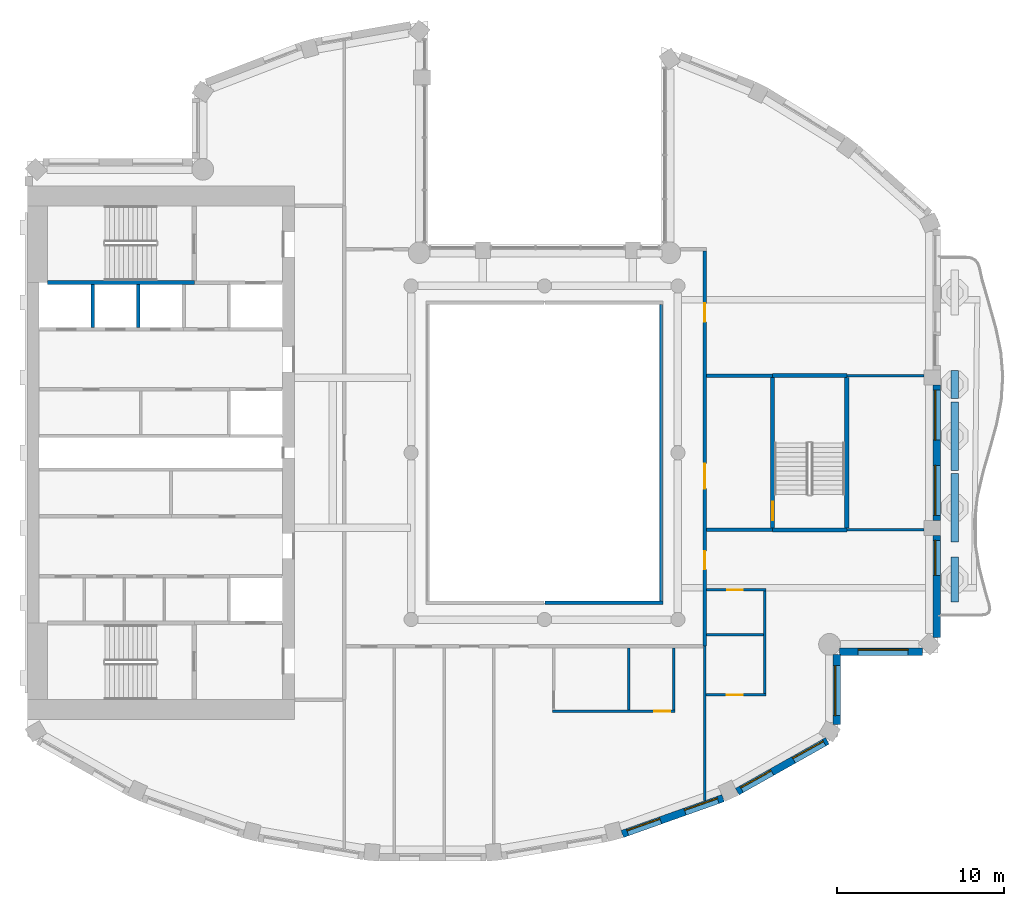
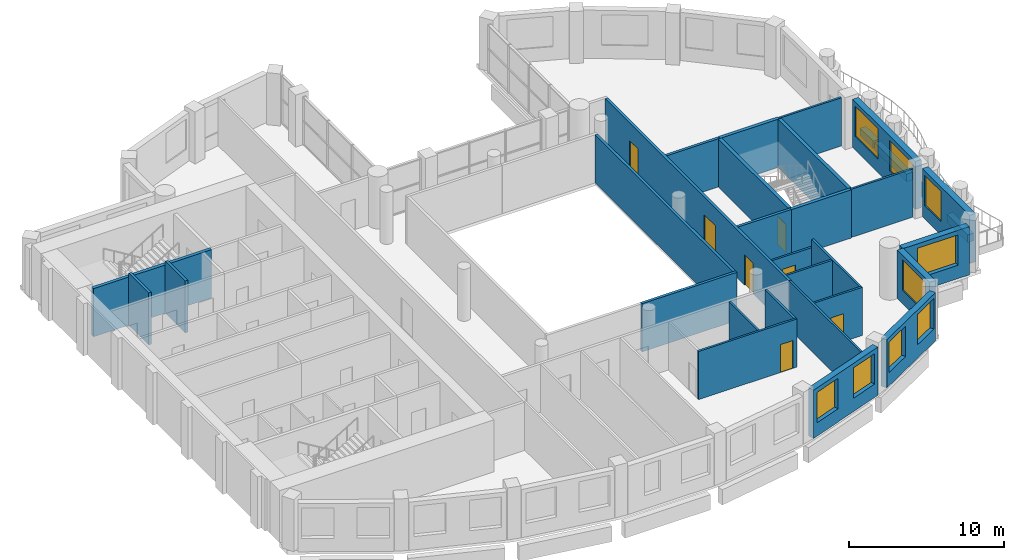
# One storey, part 6 of 14: 32 walls, 9 windows, 7 doors, 16 openings.
"""IFC4 building model written with IfcOpenShell, lengths in metres."""

from ifc_helpers import new_model, si_unit, direction, frame, frame_2d, origin, place, context, subcontext, project, spatial, rectangle, extrude, material, layer, layer_set, type_object, element, fill, save


model = new_model("IFC4")

# Units and contexts
model_context = context("Model", 3, precision=1e-05, world=origin(), true_north=direction((0.0, 1.0)))
body_context = subcontext(model_context, "Body", "Model", "MODEL_VIEW")
ifc_project = project(units=[si_unit("LENGTHUNIT", "METRE"), si_unit("AREAUNIT", "SQUARE_METRE"), si_unit("VOLUMEUNIT", "CUBIC_METRE"), si_unit("PLANEANGLEUNIT", "RADIAN"), si_unit("MASSUNIT", "GRAM", prefix="KILO")], contexts=[model_context])

# Site, building, storey
site_placement = place(None, origin())
site = spatial("IfcSite", under=ifc_project, at=site_placement, CompositionType="ELEMENT")
building_placement = place(site_placement, origin())
building = spatial("IfcBuilding", under=site, at=building_placement, Name="Cypress Arch Tower", CompositionType="ELEMENT")
storey_placement = place(building_placement, frame((0.0, 0.0, 251.60009765625)))
storey = spatial("IfcBuildingStorey", under=building, at=storey_placement, Name="L56", CompositionType="ELEMENT", Elevation=251.60009765625)

# Walls
ifc_material_1 = material(Name="Concrete C40/50, waterproofed", Category="concrete")
ifc_layer_1 = layer(ifc_material_1, 0.449951171875)
ifc_layer_set_1 = layer_set([ifc_layer_1], Name="Balcony planter wall PW450")
wall_type_1 = type_object("IfcWallType", Name="Balcony planter wall PW450", PredefinedType="SOLIDWALL", material=ifc_layer_set_1)
wall_1_placement = place(storey_placement, frame((25.60009765625, -8.949951171875, 0.0), z_axis=(0.0, 0.0, 1.0), x_axis=(0.0, 1.0, 0.0)))
element("IfcWall", 1, at=wall_1_placement, inside=storey, type_object=wall_type_1, Name="Balcony planter wall L56-C17.1", PredefinedType="SOLIDWALL", context=body_context, shape_type="SweptSolid", body=[
    extrude(rectangle(XDim=2.699951171875, YDim=0.449951171875, at=frame_2d((1.35009765625, 0.0))), origin(), (0.0, 0.0, 1.0), 0.599853515625),
])
for number, where, z_axis, x_axis, name in (
    (2, (25.60009765625, -5.35009765625, 0.0), (0.0, 0.0, 1.0), (0.0, 1.0, 0.0), "Balcony planter wall L56-C17.2"),
    (3, (25.60009765625, -1.050048828125, 0.0), (0.0, 0.0, 1.0), (0.0, 1.0, 0.0), "Balcony planter wall L56-C17.3"),
):
    element("IfcWall", number, at=place(storey_placement, frame(where, z_axis=z_axis, x_axis=x_axis)), inside=storey, type_object=wall_type_1, Name=name, PredefinedType="SOLIDWALL", context=body_context, shape_type="SweptSolid", body=[
        extrude(rectangle(XDim=4.10009765625, YDim=0.449951171875, at=frame_2d((2.050048828125, 0.0))), origin(), (0.0, 0.0, 1.0), 0.599853515625),
    ])
wall_2_placement = place(storey_placement, frame((25.60009765625, 3.25, 0.0), z_axis=(0.0, 0.0, 1.0), x_axis=(0.0, 1.0, 0.0)))
element("IfcWall", 4, at=wall_2_placement, inside=storey, type_object=wall_type_1, Name="Balcony planter wall L56-C17.4", PredefinedType="SOLIDWALL", context=body_context, shape_type="SweptSolid", body=[
    extrude(rectangle(XDim=1.69140625, YDim=0.449951171875, at=frame_2d((0.845703125, 0.0))), origin(), (0.0, 0.0, 1.0), 0.599853515625),
])

# Wall, openings, windows
ifc_material_2 = material(Name="Brick (red buff blend)", Category="masonry")
ifc_layer_2 = layer(ifc_material_2, 0.449951171875)
ifc_layer_set_2 = layer_set([ifc_layer_2], Name="Brick pier and spandrel wall BW450")
wall_type_2 = type_object("IfcWallType", Name="Brick pier and spandrel wall BW450", PredefinedType="SOLIDWALL", material=ifc_layer_set_2)
wall_3_placement = place(storey_placement, frame((5.66455078125, -22.859375, 0.0), z_axis=(0.0, 0.0, 1.0), x_axis=(0.942108340262, 0.335308626803, 0.0)))
wall_3 = element("IfcWall", 5, at=wall_3_placement, inside=storey, type_object=wall_type_2, Name="Brick wall L56 C13.0", PredefinedType="SOLIDWALL", context=body_context, shape_type="SweptSolid", body=[
    extrude(rectangle(XDim=6.41162109375, YDim=0.449951171875, at=frame_2d((3.205810546875, 0.0))), origin(), (0.0, 0.0, 1.0), 3.7998046875),
])
opening_1_placement = place(wall_3_placement, frame((0.3271484375, 0.0, 1.050048828125)))
opening_1 = element("IfcOpeningElement", 6, at=opening_1_placement, cuts=wall_3, Name="Opening W210O", PredefinedType="OPENING", context=body_context, shape_type="SweptSolid", body=[
    extrude(rectangle(XDim=2.10009765625, YDim=2.39990234375, at=frame_2d((1.050048828125, 1.199951171875))), frame((0.0, 0.23486328125, 0.0), z_axis=(0.0, -1.0, 0.0), x_axis=(1.0, 0.0, 0.0)), (0.0, 0.0, 1.0), 0.469970703125),
])
opening_2_placement = place(wall_3_placement, frame((3.984619140625, 0.0, 1.050048828125)))
opening_2 = element("IfcOpeningElement", 7, at=opening_2_placement, cuts=wall_3, Name="Opening W210O", PredefinedType="OPENING", context=body_context, shape_type="SweptSolid", body=[
    extrude(rectangle(XDim=2.10009765625, YDim=2.39990234375, at=frame_2d((1.050048828125, 1.199951171875))), frame((0.0, 0.23486328125, 0.0), z_axis=(0.0, -1.0, 0.0), x_axis=(1.0, 0.0, 0.0)), (0.0, 0.0, 1.0), 0.469970703125),
])
ifc_material_3 = material(Name="Anodised aluminium, bronze finish, clear low-emissivity double glazing", Category="aluminium")
window_type_1 = type_object("IfcWindowType", Name="Window Office 2100x2400", PartitioningType="SINGLE_PANEL", PredefinedType="WINDOW", material=ifc_material_3)
window_1_placement = place(opening_1_placement, origin())
window_1 = element("IfcWindow", 8, at=window_1_placement, inside=storey, type_object=window_type_1, Name="Window L56 C13.0.1", OverallHeight=2.39990234375, OverallWidth=2.10009765625, PartitioningType="SINGLE_PANEL", PredefinedType="WINDOW", context=body_context, shape_type="SweptSolid", body=[
    extrude(rectangle(XDim=2.10009765625, YDim=2.39990234375, at=frame_2d((1.050048828125, 1.199951171875))), frame((0.0, 0.135009765625, 0.0), z_axis=(0.0, -1.0, 0.0), x_axis=(1.0, 0.0, 0.0)), (0.0, 0.0, 1.0), 0.06005859375),
])
fill(opening_1, window_1)
window_2_placement = place(opening_2_placement, origin())
window_2 = element("IfcWindow", 9, at=window_2_placement, inside=storey, type_object=window_type_1, Name="Window L56 C13.0.2", OverallHeight=2.39990234375, OverallWidth=2.10009765625, PartitioningType="SINGLE_PANEL", PredefinedType="WINDOW", context=body_context, shape_type="SweptSolid", body=[
    extrude(rectangle(XDim=2.10009765625, YDim=2.39990234375, at=frame_2d((1.050048828125, 1.199951171875))), frame((0.0, 0.135009765625, 0.0), z_axis=(0.0, -1.0, 0.0), x_axis=(1.0, 0.0, 0.0)), (0.0, 0.0, 1.0), 0.06005859375),
])
fill(opening_2, window_2)

wall_4_placement = place(storey_placement, frame((12.55908203125, -20.320068359375, 0.0), z_axis=(0.0, 0.0, 1.0), x_axis=(0.871065783524, 0.491166367714, 0.0)))
wall_4 = element("IfcWall", 10, at=wall_4_placement, inside=storey, type_object=wall_type_2, Name="Brick wall L56 C14.0", PredefinedType="SOLIDWALL", context=body_context, shape_type="SweptSolid", body=[
    extrude(rectangle(XDim=6.1962890625, YDim=0.449951171875, at=frame_2d((3.09814453125, 0.0))), origin(), (0.0, 0.0, 1.0), 3.7998046875),
])
opening_3_placement = place(wall_4_placement, frame((0.29052734375, 0.0, 1.050048828125)))
opening_3 = element("IfcOpeningElement", 11, at=opening_3_placement, cuts=wall_4, Name="Opening W210O", PredefinedType="OPENING", context=body_context, shape_type="SweptSolid", body=[
    extrude(rectangle(XDim=2.10009765625, YDim=2.39990234375, at=frame_2d((1.050048828125, 1.199951171875))), frame((0.0, 0.23486328125, 0.0), z_axis=(0.0, -1.0, 0.0), x_axis=(1.0, 0.0, 0.0)), (0.0, 0.0, 1.0), 0.469970703125),
])
opening_4_placement = place(wall_4_placement, frame((3.875244140625, 0.0, 1.050048828125)))
opening_4 = element("IfcOpeningElement", 12, at=opening_4_placement, cuts=wall_4, Name="Opening W210O", PredefinedType="OPENING", context=body_context, shape_type="SweptSolid", body=[
    extrude(rectangle(XDim=2.10009765625, YDim=2.39990234375, at=frame_2d((1.050048828125, 1.199951171875))), frame((0.0, 0.23486328125, 0.0), z_axis=(0.0, -1.0, 0.0), x_axis=(1.0, 0.0, 0.0)), (0.0, 0.0, 1.0), 0.469970703125),
])
window_3_placement = place(opening_3_placement, origin())
window_3 = element("IfcWindow", 13, at=window_3_placement, inside=storey, type_object=window_type_1, Name="Window L56 C14.0.1", OverallHeight=2.39990234375, OverallWidth=2.10009765625, PartitioningType="SINGLE_PANEL", PredefinedType="WINDOW", context=body_context, shape_type="SweptSolid", body=[
    extrude(rectangle(XDim=2.10009765625, YDim=2.39990234375, at=frame_2d((1.050048828125, 1.199951171875))), frame((0.0, 0.135009765625, 0.0), z_axis=(0.0, -1.0, 0.0), x_axis=(1.0, 0.0, 0.0)), (0.0, 0.0, 1.0), 0.06005859375),
])
fill(opening_3, window_3)
window_4_placement = place(opening_4_placement, origin())
window_4 = element("IfcWindow", 14, at=window_4_placement, inside=storey, type_object=window_type_1, Name="Window L56 C14.0.2", OverallHeight=2.39990234375, OverallWidth=2.10009765625, PartitioningType="SINGLE_PANEL", PredefinedType="WINDOW", context=body_context, shape_type="SweptSolid", body=[
    extrude(rectangle(XDim=2.10009765625, YDim=2.39990234375, at=frame_2d((1.050048828125, 1.199951171875))), frame((0.0, 0.135009765625, 0.0), z_axis=(0.0, -1.0, 0.0), x_axis=(1.0, 0.0, 0.0)), (0.0, 0.0, 1.0), 0.06005859375),
])
fill(opening_4, window_4)

# Wall, opening, window
wall_5_placement = place(storey_placement, frame((18.52490234375, -16.3037109375, 0.0), z_axis=(0.0, 0.0, 1.0), x_axis=(0.0, 1.0, 0.0)))
wall_5 = element("IfcWall", 15, at=wall_5_placement, inside=storey, type_object=wall_type_2, Name="Brick wall L56 C15.0", PredefinedType="SOLIDWALL", context=body_context, shape_type="SweptSolid", body=[
    extrude(rectangle(XDim=4.2021484375, YDim=0.449951171875, at=frame_2d((2.10107421875, 0.0))), origin(), (0.0, 0.0, 1.0), 3.7998046875),
])
opening_5_placement = place(wall_5_placement, frame((0.541259765625, 0.0, 1.050048828125)))
opening_5 = element("IfcOpeningElement", 16, at=opening_5_placement, cuts=wall_5, Name="Opening W300O", PredefinedType="OPENING", context=body_context, shape_type="SweptSolid", body=[
    extrude(rectangle(XDim=3.0, YDim=2.39990234375, at=frame_2d((1.5, 1.199951171875))), frame((0.0, 0.23486328125, 0.0), z_axis=(0.0, -1.0, 0.0), x_axis=(1.0, 0.0, 0.0)), (0.0, 0.0, 1.0), 0.469970703125),
])
ifc_material_4 = material(Name="Anodised aluminium, bronze finish, clear low-emissivity double glazing", Category="aluminium")
window_type_2 = type_object("IfcWindowType", Name="Window Office 3000x2400", PartitioningType="SINGLE_PANEL", PredefinedType="WINDOW", material=ifc_material_4)
window_5_placement = place(opening_5_placement, origin())
window_5 = element("IfcWindow", 17, at=window_5_placement, inside=storey, type_object=window_type_2, Name="Window L56 C15.0.1", OverallHeight=2.39990234375, OverallWidth=3.0, PartitioningType="SINGLE_PANEL", PredefinedType="WINDOW", context=body_context, shape_type="SweptSolid", body=[
    extrude(rectangle(XDim=3.0, YDim=2.39990234375, at=frame_2d((1.5, 1.199951171875))), frame((0.0, 0.135009765625, 0.0), z_axis=(0.0, -1.0, 0.0), x_axis=(1.0, 0.0, 0.0)), (0.0, 0.0, 1.0), 0.06005859375),
])
fill(opening_5, window_5)

wall_6_placement = place(storey_placement, frame((18.701416015625, -11.925048828125, 0.0), z_axis=(0.0, 0.0, 1.0), x_axis=(1.0, 0.0, 0.0)))
wall_6 = element("IfcWall", 18, at=wall_6_placement, inside=storey, type_object=wall_type_2, Name="Brick wall L56 C16.0", PredefinedType="SOLIDWALL", context=body_context, shape_type="SweptSolid", body=[
    extrude(rectangle(XDim=4.962158203125, YDim=0.449951171875, at=frame_2d((2.48095703125, 0.0))), origin(), (0.0, 0.0, 1.0), 3.7998046875),
])
opening_6_placement = place(wall_6_placement, frame((1.098388671875, 0.0, 1.050048828125)))
opening_6 = element("IfcOpeningElement", 19, at=opening_6_placement, cuts=wall_6, Name="Opening W300O", PredefinedType="OPENING", context=body_context, shape_type="SweptSolid", body=[
    extrude(rectangle(XDim=3.0, YDim=2.39990234375, at=frame_2d((1.5, 1.199951171875))), frame((0.0, 0.23486328125, 0.0), z_axis=(0.0, -1.0, 0.0), x_axis=(1.0, 0.0, 0.0)), (0.0, 0.0, 1.0), 0.469970703125),
])
window_6_placement = place(opening_6_placement, origin())
window_6 = element("IfcWindow", 20, at=window_6_placement, inside=storey, type_object=window_type_2, Name="Window L56 C16.0.1", OverallHeight=2.39990234375, OverallWidth=3.0, PartitioningType="SINGLE_PANEL", PredefinedType="WINDOW", context=body_context, shape_type="SweptSolid", body=[
    extrude(rectangle(XDim=3.0, YDim=2.39990234375, at=frame_2d((1.5, 1.199951171875))), frame((0.0, 0.135009765625, 0.0), z_axis=(0.0, -1.0, 0.0), x_axis=(1.0, 0.0, 0.0)), (0.0, 0.0, 1.0), 0.06005859375),
])
fill(opening_6, window_6)

wall_7_placement = place(storey_placement, frame((24.52490234375, -11.063720703125, 0.0), z_axis=(0.0, 0.0, 1.0), x_axis=(0.0, 1.0, 0.0)))
wall_7 = element("IfcWall", 21, at=wall_7_placement, inside=storey, type_object=wall_type_2, Name="Brick wall L56 C17.0", PredefinedType="SOLIDWALL", context=body_context, shape_type="SweptSolid", body=[
    extrude(rectangle(XDim=6.11376953125, YDim=0.449951171875, at=frame_2d((3.056884765625, 0.0))), origin(), (0.0, 0.0, 1.0), 3.7998046875),
])
opening_7_placement = place(wall_7_placement, frame((3.713623046875, 0.0, 1.050048828125)))
opening_7 = element("IfcOpeningElement", 22, at=opening_7_placement, cuts=wall_7, Name="Opening W210OD", PredefinedType="OPENING", context=body_context, shape_type="SweptSolid", body=[
    extrude(rectangle(XDim=2.10009765625, YDim=2.39990234375, at=frame_2d((1.050048828125, 1.199951171875))), frame((0.0, 0.23486328125, 0.0), z_axis=(0.0, -1.0, 0.0), x_axis=(1.0, 0.0, 0.0)), (0.0, 0.0, 1.0), 0.469970703125),
])
ifc_material_5 = material(Name="Anodised aluminium, bronze finish, laminated low-emissivity double glazing, large-missile impact rated", Category="aluminium")
window_type_3 = type_object("IfcWindowType", Name="Window Office 2100x2400 debris-rated", PartitioningType="SINGLE_PANEL", PredefinedType="WINDOW", material=ifc_material_5)
window_7_placement = place(opening_7_placement, origin())
window_7 = element("IfcWindow", 23, at=window_7_placement, inside=storey, type_object=window_type_3, Name="Window L56 C17.0.2", OverallHeight=2.39990234375, OverallWidth=2.10009765625, PartitioningType="SINGLE_PANEL", PredefinedType="WINDOW", context=body_context, shape_type="SweptSolid", body=[
    extrude(rectangle(XDim=2.10009765625, YDim=2.39990234375, at=frame_2d((1.050048828125, 1.199951171875))), frame((0.0, 0.135009765625, 0.0), z_axis=(0.0, -1.0, 0.0), x_axis=(1.0, 0.0, 0.0)), (0.0, 0.0, 1.0), 0.06005859375),
])
fill(opening_7, window_7)

# Wall, openings, windows
wall_8_placement = place(storey_placement, frame((24.52490234375, -4.050048828125, 0.0), z_axis=(0.0, 0.0, 1.0), x_axis=(0.0, 1.0, 0.0)))
wall_8 = element("IfcWall", 24, at=wall_8_placement, inside=storey, type_object=wall_type_2, Name="Brick wall L56 C17.1", PredefinedType="SOLIDWALL", context=body_context, shape_type="SweptSolid", body=[
    extrude(rectangle(XDim=8.10009765625, YDim=0.449951171875, at=frame_2d((4.050048828125, 0.0))), origin(), (0.0, 0.0, 1.0), 3.7998046875),
])
opening_8_placement = place(wall_8_placement, frame((0.300048828125, 0.0, 1.050048828125)))
opening_8 = element("IfcOpeningElement", 25, at=opening_8_placement, cuts=wall_8, Name="Opening W300OD", PredefinedType="OPENING", context=body_context, shape_type="SweptSolid", body=[
    extrude(rectangle(XDim=3.0, YDim=2.39990234375, at=frame_2d((1.5, 1.199951171875))), frame((0.0, 0.23486328125, 0.0), z_axis=(0.0, -1.0, 0.0), x_axis=(1.0, 0.0, 0.0)), (0.0, 0.0, 1.0), 0.469970703125),
])
opening_9_placement = place(wall_8_placement, frame((4.800048828125, 0.0, 1.050048828125)))
opening_9 = element("IfcOpeningElement", 26, at=opening_9_placement, cuts=wall_8, Name="Opening W300OD", PredefinedType="OPENING", context=body_context, shape_type="SweptSolid", body=[
    extrude(rectangle(XDim=3.0, YDim=2.39990234375, at=frame_2d((1.5, 1.199951171875))), frame((0.0, 0.23486328125, 0.0), z_axis=(0.0, -1.0, 0.0), x_axis=(1.0, 0.0, 0.0)), (0.0, 0.0, 1.0), 0.469970703125),
])
ifc_material_6 = material(Name="Anodised aluminium, bronze finish, laminated low-emissivity double glazing, large-missile impact rated", Category="aluminium")
window_type_4 = type_object("IfcWindowType", Name="Window Office 3000x2400 debris-rated", PartitioningType="SINGLE_PANEL", PredefinedType="WINDOW", material=ifc_material_6)
window_8_placement = place(opening_8_placement, origin())
window_8 = element("IfcWindow", 27, at=window_8_placement, inside=storey, type_object=window_type_4, Name="Window L56 C17.1.1", OverallHeight=2.39990234375, OverallWidth=3.0, PartitioningType="SINGLE_PANEL", PredefinedType="WINDOW", context=body_context, shape_type="SweptSolid", body=[
    extrude(rectangle(XDim=3.0, YDim=2.39990234375, at=frame_2d((1.5, 1.199951171875))), frame((0.0, 0.135009765625, 0.0), z_axis=(0.0, -1.0, 0.0), x_axis=(1.0, 0.0, 0.0)), (0.0, 0.0, 1.0), 0.06005859375),
])
fill(opening_8, window_8)
window_9_placement = place(opening_9_placement, origin())
window_9 = element("IfcWindow", 28, at=window_9_placement, inside=storey, type_object=window_type_4, Name="Window L56 C17.1.2", OverallHeight=2.39990234375, OverallWidth=3.0, PartitioningType="SINGLE_PANEL", PredefinedType="WINDOW", context=body_context, shape_type="SweptSolid", body=[
    extrude(rectangle(XDim=3.0, YDim=2.39990234375, at=frame_2d((1.5, 1.199951171875))), frame((0.0, 0.135009765625, 0.0), z_axis=(0.0, -1.0, 0.0), x_axis=(1.0, 0.0, 0.0)), (0.0, 0.0, 1.0), 0.06005859375),
])
fill(opening_9, window_9)

# Walls
ifc_material_7 = material(Name="Concrete blockwork, plastered, rated", Category="masonry")
ifc_layer_3 = layer(ifc_material_7, 0.199951171875)
ifc_layer_set_3 = layer_set([ifc_layer_3], Name="Corridor wall FW200")
wall_type_3 = type_object("IfcWallType", Name="Corridor wall FW200", PredefinedType="PARTITIONING", material=ifc_layer_set_3)
wall_9_placement = place(storey_placement, frame((1.02001953125, -9.0, 0.0), z_axis=(0.0, 0.0, 1.0), x_axis=(1.0, 0.0, 0.0)))
element("IfcWall", 29, at=wall_9_placement, inside=storey, type_object=wall_type_3, Name="Corridor wall", PredefinedType="PARTITIONING", context=body_context, shape_type="SweptSolid", body=[
    extrude(rectangle(XDim=7.080078125, YDim=0.199951171875, at=frame_2d((3.5400390625, 0.0))), origin(), (0.0, 0.0, 1.0), 3.7998046875),
])
wall_10_placement = place(storey_placement, frame((8.0, -8.89990234375, 0.0), z_axis=(0.0, 0.0, 1.0), x_axis=(0.0, 1.0, 0.0)))
element("IfcWall", 30, at=wall_10_placement, inside=storey, type_object=wall_type_3, Name="Corridor wall", PredefinedType="PARTITIONING", context=body_context, shape_type="SweptSolid", body=[
    extrude(rectangle(XDim=17.7998046875, YDim=0.199951171875, at=frame_2d((8.89990234375, 0.0))), origin(), (0.0, 0.0, 1.0), 3.7998046875),
])

# Wall, openings, doors
wall_11_placement = place(storey_placement, frame((10.60009765625, -11.60009765625, 0.0), z_axis=(0.0, 0.0, 1.0), x_axis=(0.0, 1.0, 0.0)))
wall_11 = element("IfcWall", 31, at=wall_11_placement, inside=storey, type_object=wall_type_3, Name="Corridor wall", PredefinedType="PARTITIONING", context=body_context, shape_type="SweptSolid", body=[
    extrude(rectangle(XDim=23.7001953125, YDim=0.199951171875, at=frame_2d((11.85009765625, 0.0))), origin(), (0.0, 0.0, 1.0), 3.7998046875),
])
opening_10_placement = place(wall_11_placement, frame((9.449951171875, 0.0, 0.0)))
opening_10 = element("IfcOpeningElement", 32, at=opening_10_placement, cuts=wall_11, Name="Opening D07", PredefinedType="OPENING", context=body_context, shape_type="SweptSolid", body=[
    extrude(rectangle(XDim=1.5, YDim=2.39990234375, at=frame_2d((0.75, 1.199951171875))), frame((0.0, 0.10986328125, 0.0), z_axis=(0.0, -1.0, 0.0), x_axis=(1.0, 0.0, 0.0)), (0.0, 0.0, 1.0), 0.219970703125),
])
opening_11_placement = place(wall_11_placement, frame((19.449951171875, 0.0, 0.0)))
opening_11 = element("IfcOpeningElement", 33, at=opening_11_placement, cuts=wall_11, Name="Opening D01", PredefinedType="OPENING", context=body_context, shape_type="SweptSolid", body=[
    extrude(rectangle(XDim=1.10009765625, YDim=2.39990234375, at=frame_2d((0.550048828125, 1.199951171875))), frame((0.0, 0.10986328125, 0.0), z_axis=(0.0, -1.0, 0.0), x_axis=(1.0, 0.0, 0.0)), (0.0, 0.0, 1.0), 0.219970703125),
])
opening_12_placement = place(wall_11_placement, frame((4.60009765625, 0.0, 0.0)))
opening_12 = element("IfcOpeningElement", 34, at=opening_12_placement, cuts=wall_11, Name="Opening D01", PredefinedType="OPENING", context=body_context, shape_type="SweptSolid", body=[
    extrude(rectangle(XDim=1.10009765625, YDim=2.39990234375, at=frame_2d((0.550048828125, 1.199951171875))), frame((0.0, 0.10986328125, 0.0), z_axis=(0.0, -1.0, 0.0), x_axis=(1.0, 0.0, 0.0)), (0.0, 0.0, 1.0), 0.219970703125),
])
ifc_material_8 = material(Name="Steel framed glazed door, fire resisting", Category="steel")
door_type_1 = type_object("IfcDoorType", Name="Lobby door D07 1500x2400", OperationType="DOUBLE_DOOR_SINGLE_SWING", PredefinedType="DOOR", material=ifc_material_8)
door_1_placement = place(opening_10_placement, origin())
door_1 = element("IfcDoor", 35, at=door_1_placement, inside=storey, type_object=door_type_1, Name="Lobby door", OperationType="DOUBLE_DOOR_SINGLE_SWING", OverallHeight=2.39990234375, OverallWidth=1.5, PredefinedType="DOOR", context=body_context, shape_type="SweptSolid", body=[
    extrude(rectangle(XDim=1.5, YDim=2.39990234375, at=frame_2d((0.75, 1.199951171875))), frame((0.0, 0.02490234375, 0.0), z_axis=(0.0, -1.0, 0.0), x_axis=(1.0, 0.0, 0.0)), (0.0, 0.0, 1.0), 0.050048828125),
])
fill(opening_10, door_1)
ifc_material_9 = material(Name="Timber flush door, fire resisting, self-closing", Category="wood")
door_type_2 = type_object("IfcDoorType", Name="Unit entrance door D01 1100x2400", OperationType="SINGLE_SWING_LEFT", PredefinedType="DOOR", material=ifc_material_9)
door_2_placement = place(opening_11_placement, origin())
door_2 = element("IfcDoor", 36, at=door_2_placement, inside=storey, type_object=door_type_2, Name="Unit entrance door", OperationType="SINGLE_SWING_LEFT", OverallHeight=2.39990234375, OverallWidth=1.10009765625, PredefinedType="DOOR", context=body_context, shape_type="SweptSolid", body=[
    extrude(rectangle(XDim=1.10009765625, YDim=2.39990234375, at=frame_2d((0.550048828125, 1.199951171875))), frame((0.0, 0.02490234375, 0.0), z_axis=(0.0, -1.0, 0.0), x_axis=(1.0, 0.0, 0.0)), (0.0, 0.0, 1.0), 0.050048828125),
])
fill(opening_11, door_2)
door_3_placement = place(opening_12_placement, origin())
door_3 = element("IfcDoor", 37, at=door_3_placement, inside=storey, type_object=door_type_2, Name="Unit entrance door", OperationType="SINGLE_SWING_RIGHT", OverallHeight=2.39990234375, OverallWidth=1.10009765625, PredefinedType="DOOR", context=body_context, shape_type="SweptSolid", body=[
    extrude(rectangle(XDim=1.10009765625, YDim=2.39990234375, at=frame_2d((0.550048828125, 1.199951171875))), frame((0.0, 0.02490234375, 0.0), z_axis=(0.0, -1.0, 0.0), x_axis=(1.0, 0.0, 0.0)), (0.0, 0.0, 1.0), 0.050048828125),
])
fill(opening_12, door_3)

# Walls
for number, where, z_axis, x_axis, name in (
    (38, (10.699951171875, -4.625, 0.0), (0.0, 0.0, 1.0), (1.0, 0.0, 0.0), "Corridor wall"),
    (39, (10.699951171875, 4.625, 0.0), (0.0, 0.0, 1.0), (1.0, 0.0, 0.0), "Corridor wall"),
):
    element("IfcWall", number, at=place(storey_placement, frame(where, z_axis=z_axis, x_axis=x_axis)), inside=storey, type_object=wall_type_3, Name=name, PredefinedType="PARTITIONING", context=body_context, shape_type="SweptSolid", body=[
        extrude(rectangle(XDim=3.97509765625, YDim=0.199951171875, at=frame_2d((1.987548828125, 0.0))), origin(), (0.0, 0.0, 1.0), 3.7998046875),
    ])

# Wall, opening, door
ifc_material_10 = material(Name="Blockwork, plastered both sides", Category="masonry")
ifc_layer_4 = layer(ifc_material_10, 0.14990234375)
ifc_layer_set_4 = layer_set([ifc_layer_4], Name="Partition PW150")
wall_type_4 = type_object("IfcWallType", Name="Partition PW150", PredefinedType="PARTITIONING", material=ifc_layer_set_4)
wall_12_placement = place(storey_placement, frame((1.47900390625, -15.5, 0.0), z_axis=(0.0, 0.0, 1.0), x_axis=(1.0, 0.0, 0.0)))
wall_12 = element("IfcWall", 40, at=wall_12_placement, inside=storey, type_object=wall_type_4, Name="Partition", PredefinedType="PARTITIONING", context=body_context, shape_type="SweptSolid", body=[
    extrude(rectangle(XDim=7.35009765625, YDim=0.14990234375, at=frame_2d((3.675048828125, 0.0))), origin(), (0.0, 0.0, 1.0), 3.7998046875),
])
opening_13_placement = place(wall_12_placement, frame((6.10009765625, 0.0, 0.0)))
opening_13 = element("IfcOpeningElement", 41, at=opening_13_placement, cuts=wall_12, Name="Opening D12", PredefinedType="OPENING", context=body_context, shape_type="SweptSolid", body=[
    extrude(rectangle(XDim=0.949951171875, YDim=2.199951171875, at=frame_2d((0.47509765625, 1.10009765625))), frame((0.0, 0.0849609375, 0.0), z_axis=(0.0, -1.0, 0.0), x_axis=(1.0, 0.0, 0.0)), (0.0, 0.0, 1.0), 0.169921875),
])
ifc_material_11 = material(Name="Timber flush door", Category="wood")
door_type_3 = type_object("IfcDoorType", Name="Room door D12 950x2200", OperationType="SINGLE_SWING_LEFT", PredefinedType="DOOR", material=ifc_material_11)
door_4_placement = place(opening_13_placement, origin())
door_4 = element("IfcDoor", 42, at=door_4_placement, inside=storey, type_object=door_type_3, Name="Room door", OperationType="SINGLE_SWING_LEFT", OverallHeight=2.199951171875, OverallWidth=0.949951171875, PredefinedType="DOOR", context=body_context, shape_type="SweptSolid", body=[
    extrude(rectangle(XDim=0.949951171875, YDim=2.199951171875, at=frame_2d((0.47509765625, 1.10009765625))), frame((0.0, 0.02490234375, 0.0), z_axis=(0.0, -1.0, 0.0), x_axis=(1.0, 0.0, 0.0)), (0.0, 0.0, 1.0), 0.050048828125),
])
fill(opening_13, door_4)

# Walls
for number, where, z_axis, x_axis, name in (
    (43, (6.053955078125, -15.425048828125, 0.0), (0.0, 0.0, 1.0), (0.0, 1.0, 0.0), "Partition"),
    (44, (8.75390625, -15.425048828125, 0.0), (0.0, 0.0, 1.0), (0.0, 1.0, 0.0), "Partition"),
):
    element("IfcWall", number, at=place(storey_placement, frame(where, z_axis=z_axis, x_axis=x_axis)), inside=storey, type_object=wall_type_4, Name=name, PredefinedType="PARTITIONING", context=body_context, shape_type="SweptSolid", body=[
        extrude(rectangle(XDim=3.72509765625, YDim=0.14990234375, at=frame_2d((1.862548828125, 0.0))), origin(), (0.0, 0.0, 1.0), 3.7998046875),
    ])
wall_13_placement = place(storey_placement, frame((10.60009765625, -20.864013671875, 0.0), z_axis=(0.0, 0.0, 1.0), x_axis=(0.0, 1.0, 0.0)))
element("IfcWall", 45, at=wall_13_placement, inside=storey, type_object=wall_type_4, Name="Partition", PredefinedType="PARTITIONING", context=body_context, shape_type="SweptSolid", body=[
    extrude(rectangle(XDim=9.263916015625, YDim=0.14990234375, at=frame_2d((4.6318359375, 0.0))), origin(), (0.0, 0.0, 1.0), 3.7998046875),
])

# Wall, opening, door
wall_14_placement = place(storey_placement, frame((10.675048828125, -14.52490234375, 0.0), z_axis=(0.0, 0.0, 1.0), x_axis=(1.0, 0.0, 0.0)))
wall_14 = element("IfcWall", 46, at=wall_14_placement, inside=storey, type_object=wall_type_4, Name="Partition", PredefinedType="PARTITIONING", context=body_context, shape_type="SweptSolid", body=[
    extrude(rectangle(XDim=3.599853515625, YDim=0.14990234375, at=frame_2d((1.7998046875, 0.0))), origin(), (0.0, 0.0, 1.0), 3.7998046875),
])
opening_14_placement = place(wall_14_placement, frame((1.25, 0.0, 0.0)))
opening_14 = element("IfcOpeningElement", 47, at=opening_14_placement, cuts=wall_14, Name="Opening D12", PredefinedType="OPENING", context=body_context, shape_type="SweptSolid", body=[
    extrude(rectangle(XDim=0.949951171875, YDim=2.199951171875, at=frame_2d((0.47509765625, 1.10009765625))), frame((0.0, 0.0849609375, 0.0), z_axis=(0.0, -1.0, 0.0), x_axis=(1.0, 0.0, 0.0)), (0.0, 0.0, 1.0), 0.169921875),
])
door_5_placement = place(opening_14_placement, origin())
door_5 = element("IfcDoor", 48, at=door_5_placement, inside=storey, type_object=door_type_3, Name="Room door", OperationType="SINGLE_SWING_RIGHT", OverallHeight=2.199951171875, OverallWidth=0.949951171875, PredefinedType="DOOR", context=body_context, shape_type="SweptSolid", body=[
    extrude(rectangle(XDim=0.949951171875, YDim=2.199951171875, at=frame_2d((0.47509765625, 1.10009765625))), frame((0.0, 0.02490234375, 0.0), z_axis=(0.0, -1.0, 0.0), x_axis=(1.0, 0.0, 0.0)), (0.0, 0.0, 1.0), 0.050048828125),
])
fill(opening_14, door_5)

# Wall
wall_15_placement = place(storey_placement, frame((10.699951171875, -10.925048828125, 0.0), z_axis=(0.0, 0.0, 1.0), x_axis=(1.0, 0.0, 0.0)))
element("IfcWall", 49, at=wall_15_placement, inside=storey, type_object=wall_type_4, Name="Partition", PredefinedType="PARTITIONING", context=body_context, shape_type="SweptSolid", body=[
    extrude(rectangle(XDim=3.425048828125, YDim=0.14990234375, at=frame_2d((1.71240234375, 0.0))), origin(), (0.0, 0.0, 1.0), 3.7998046875),
])

# Wall, opening, door
wall_16_placement = place(storey_placement, frame((10.699951171875, -8.22509765625, 0.0), z_axis=(0.0, 0.0, 1.0), x_axis=(1.0, 0.0, 0.0)))
wall_16 = element("IfcWall", 50, at=wall_16_placement, inside=storey, type_object=wall_type_4, Name="Partition", PredefinedType="PARTITIONING", context=body_context, shape_type="SweptSolid", body=[
    extrude(rectangle(XDim=3.574951171875, YDim=0.14990234375, at=frame_2d((1.78759765625, 0.0))), origin(), (0.0, 0.0, 1.0), 3.14990234375),
])
opening_15_placement = place(wall_16_placement, frame((1.25, 0.0, 0.0)))
opening_15 = element("IfcOpeningElement", 51, at=opening_15_placement, cuts=wall_16, Name="Opening D12", PredefinedType="OPENING", context=body_context, shape_type="SweptSolid", body=[
    extrude(rectangle(XDim=0.949951171875, YDim=2.199951171875, at=frame_2d((0.47509765625, 1.10009765625))), frame((0.0, 0.0849609375, 0.0), z_axis=(0.0, -1.0, 0.0), x_axis=(1.0, 0.0, 0.0)), (0.0, 0.0, 1.0), 0.169921875),
])
door_6_placement = place(opening_15_placement, origin())
door_6 = element("IfcDoor", 52, at=door_6_placement, inside=storey, type_object=door_type_3, Name="Room door", OperationType="SINGLE_SWING_LEFT", OverallHeight=2.199951171875, OverallWidth=0.949951171875, PredefinedType="DOOR", context=body_context, shape_type="SweptSolid", body=[
    extrude(rectangle(XDim=0.949951171875, YDim=2.199951171875, at=frame_2d((0.47509765625, 1.10009765625))), frame((0.0, 0.02490234375, 0.0), z_axis=(0.0, -1.0, 0.0), x_axis=(1.0, 0.0, 0.0)), (0.0, 0.0, 1.0), 0.050048828125),
])
fill(opening_15, door_6)

# Walls
wall_17_placement = place(storey_placement, frame((14.199951171875, -14.449951171875, 0.0), z_axis=(0.0, 0.0, 1.0), x_axis=(0.0, 1.0, 0.0)))
element("IfcWall", 53, at=wall_17_placement, inside=storey, type_object=wall_type_4, Name="Partition", PredefinedType="PARTITIONING", context=body_context, shape_type="SweptSolid", body=[
    extrude(rectangle(XDim=6.14990234375, YDim=0.14990234375, at=frame_2d((3.074951171875, 0.0))), origin(), (0.0, 0.0, 1.0), 3.7998046875),
])
for number, where, z_axis, x_axis, name in (
    (54, (19.14501953125, -4.625, 0.0), (0.0, 0.0, 1.0), (1.0, 0.0, 0.0), "Partition"),
    (55, (19.14501953125, 4.625, 0.0), (0.0, 0.0, 1.0), (1.0, 0.0, 0.0), "Partition"),
):
    element("IfcWall", number, at=place(storey_placement, frame(where, z_axis=z_axis, x_axis=x_axis)), inside=storey, type_object=wall_type_4, Name=name, PredefinedType="PARTITIONING", context=body_context, shape_type="SweptSolid", body=[
        extrude(rectangle(XDim=4.60498046875, YDim=0.14990234375, at=frame_2d((2.302490234375, 0.0))), origin(), (0.0, 0.0, 1.0), 3.7998046875),
    ])
ifc_material_12 = material(Name="Concrete C50/60", Category="concrete")
ifc_layer_5 = layer(ifc_material_12, 0.199951171875)
ifc_layer_set_5 = layer_set([ifc_layer_5], Name="Shaft wall SH200")
wall_type_5 = type_object("IfcWallType", Name="Shaft wall SH200", PredefinedType="SHEAR", material=ifc_layer_set_5)
for number, where, z_axis, x_axis, name in (
    (56, (-26.080078125, 7.5, 0.0), (0.0, 0.0, 1.0), (0.0, 1.0, 0.0), "Shaft wall"),
    (57, (-23.360107421875, 7.5, 0.0), (0.0, 0.0, 1.0), (0.0, 1.0, 0.0), "Shaft wall"),
):
    element("IfcWall", number, at=place(storey_placement, frame(where, z_axis=z_axis, x_axis=x_axis)), inside=storey, type_object=wall_type_5, Name=name, PredefinedType="SHEAR", context=body_context, shape_type="SweptSolid", body=[
        extrude(rectangle(XDim=2.574951171875, YDim=0.199951171875, at=frame_2d((1.28759765625, 0.0))), origin(), (0.0, 0.0, 1.0), 4.099853515625),
    ])
ifc_material_13 = material(Name="Concrete C50/60", Category="concrete")
ifc_layer_6 = layer(ifc_material_13, 0.25)
ifc_layer_set_6 = layer_set([ifc_layer_6], Name="Stair enclosure wall SW250")
wall_type_6 = type_object("IfcWallType", Name="Stair enclosure wall SW250", PredefinedType="SHEAR", material=ifc_layer_set_6)
wall_18_placement = place(storey_placement, frame((-28.81005859375, 10.199951171875, 0.0), z_axis=(0.0, 0.0, 1.0), x_axis=(1.0, 0.0, 0.0)))
element("IfcWall", 58, at=wall_18_placement, inside=storey, type_object=wall_type_6, Name="Stair enclosure wall", PredefinedType="SHEAR", context=body_context, shape_type="SweptSolid", body=[
    extrude(rectangle(XDim=8.81005859375, YDim=0.25, at=frame_2d((4.405029296875, 0.0))), origin(), (0.0, 0.0, 1.0), 3.7998046875),
])

# Wall, opening, door
wall_19_placement = place(storey_placement, frame((14.675048828125, -4.5, 0.0), z_axis=(0.0, 0.0, 1.0), x_axis=(0.0, 1.0, 0.0)))
wall_19 = element("IfcWall", 59, at=wall_19_placement, inside=storey, type_object=wall_type_6, Name="Stair enclosure wall", PredefinedType="SHEAR", context=body_context, shape_type="SweptSolid", body=[
    extrude(rectangle(XDim=9.0, YDim=0.25, at=frame_2d((4.5, 0.0))), origin(), (0.0, 0.0, 1.0), 3.7998046875),
])
opening_16_placement = place(wall_19_placement, frame((0.449951171875, 0.0, 0.0)))
opening_16 = element("IfcOpeningElement", 60, at=opening_16_placement, cuts=wall_19, Name="Opening D06", PredefinedType="OPENING", context=body_context, shape_type="SweptSolid", body=[
    extrude(rectangle(XDim=1.10009765625, YDim=2.199951171875, at=frame_2d((0.550048828125, 1.10009765625))), frame((0.0, 0.135009765625, 0.0), z_axis=(0.0, -1.0, 0.0), x_axis=(1.0, 0.0, 0.0)), (0.0, 0.0, 1.0), 0.27001953125),
])
ifc_material_14 = material(Name="Steel door, fire resisting, panic bar", Category="steel")
door_type_4 = type_object("IfcDoorType", Name="Stair door D06 1100x2200", OperationType="SINGLE_SWING_LEFT", PredefinedType="DOOR", material=ifc_material_14)
door_7_placement = place(opening_16_placement, origin())
door_7 = element("IfcDoor", 61, at=door_7_placement, inside=storey, type_object=door_type_4, Name="Stair door", OperationType="SINGLE_SWING_RIGHT", OverallHeight=2.199951171875, OverallWidth=1.10009765625, PredefinedType="DOOR", context=body_context, shape_type="SweptSolid", body=[
    extrude(rectangle(XDim=1.10009765625, YDim=2.199951171875, at=frame_2d((0.550048828125, 1.10009765625))), frame((0.0, 0.02490234375, 0.0), z_axis=(0.0, -1.0, 0.0), x_axis=(1.0, 0.0, 0.0)), (0.0, 0.0, 1.0), 0.050048828125),
])
fill(opening_16, door_7)

# Walls
for number, where, z_axis, x_axis, name in (
    (62, (14.675048828125, -4.625, 0.0), (0.0, 0.0, 1.0), (1.0, 0.0, 0.0), "Stair enclosure wall"),
    (63, (14.675048828125, 4.625, 0.0), (0.0, 0.0, 1.0), (1.0, 0.0, 0.0), "Stair enclosure wall"),
):
    element("IfcWall", number, at=place(storey_placement, frame(where, z_axis=z_axis, x_axis=x_axis)), inside=storey, type_object=wall_type_6, Name=name, PredefinedType="SHEAR", context=body_context, shape_type="SweptSolid", body=[
        extrude(rectangle(XDim=4.449951171875, YDim=0.25, at=frame_2d((2.22509765625, 0.0))), origin(), (0.0, 0.0, 1.0), 3.7998046875),
    ])
wall_20_placement = place(storey_placement, frame((19.125, -4.5, 0.0), z_axis=(0.0, 0.0, 1.0), x_axis=(0.0, 1.0, 0.0)))
element("IfcWall", 64, at=wall_20_placement, inside=storey, type_object=wall_type_6, Name="Stair enclosure wall", PredefinedType="SHEAR", context=body_context, shape_type="SweptSolid", body=[
    extrude(rectangle(XDim=9.0, YDim=0.25, at=frame_2d((4.5, 0.0))), origin(), (0.0, 0.0, 1.0), 3.7998046875),
])

save(model, "model.ifc")
